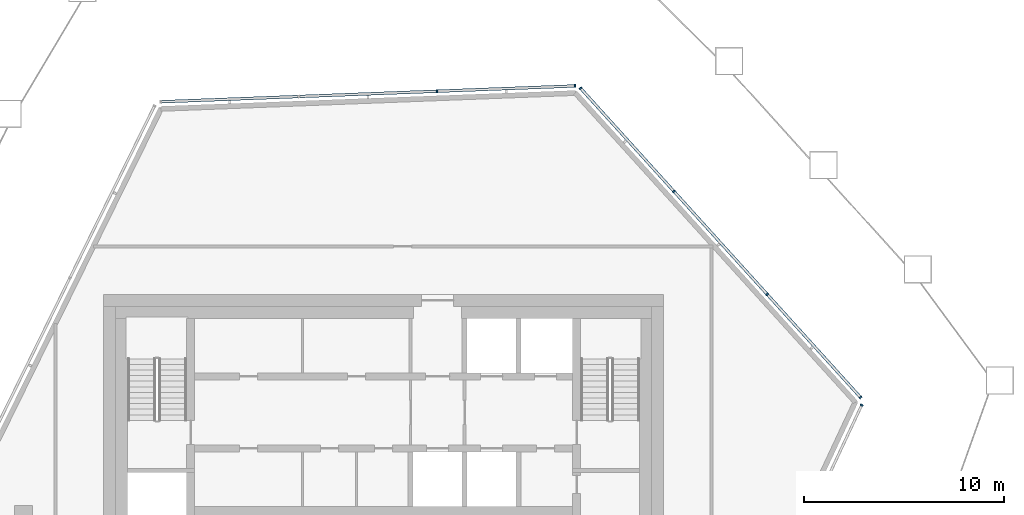
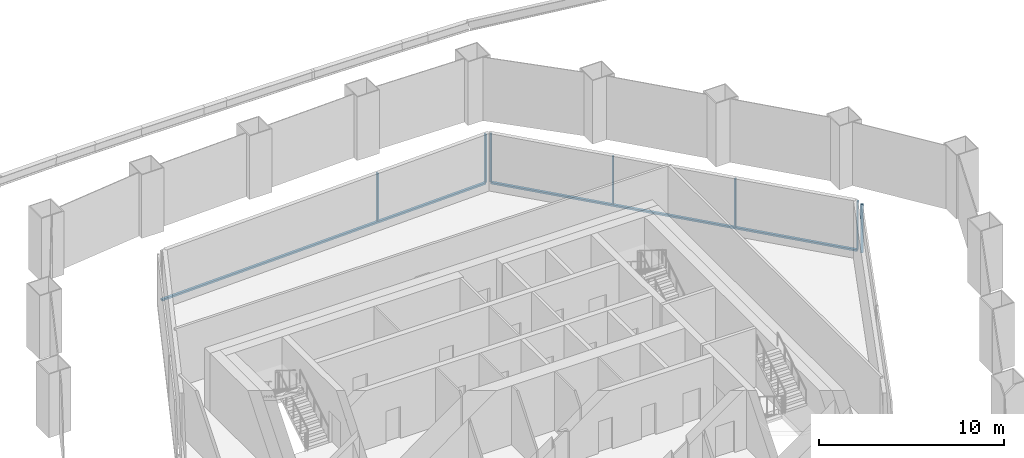
# One storey, part 6 of 18: 9 members, 3 elements without a shape of their own.
"""IFC4 building model written with IfcOpenShell, lengths in metres."""

from ifc_helpers import new_model, si_unit, direction, frame, origin, origin_2d, place, context, subcontext, project, spatial, rectangle, extrude, material, layer, layer_set, material_profile, profile_set, type_object, element, aggregate, save


model = new_model("IFC4")

# Units and contexts
model_context = context("Model", 3, precision=1e-05, world=origin(), true_north=direction((0.0, 1.0)))
body_context = subcontext(model_context, "Body", "Model", "MODEL_VIEW")
ifc_project = project(units=[si_unit("LENGTHUNIT", "METRE"), si_unit("AREAUNIT", "SQUARE_METRE"), si_unit("VOLUMEUNIT", "CUBIC_METRE"), si_unit("PLANEANGLEUNIT", "RADIAN"), si_unit("MASSUNIT", "GRAM", prefix="KILO")], contexts=[model_context])

# Site, building, storey
site_placement = place(None, origin())
site = spatial("IfcSite", under=ifc_project, at=site_placement, CompositionType="ELEMENT")
building_placement = place(site_placement, origin())
building = spatial("IfcBuilding", under=site, at=building_placement, Name="Dongbaek Canopy Tower", CompositionType="ELEMENT")
storey_placement = place(building_placement, frame((0.0, 0.0, 371.60009765625)))
storey = spatial("IfcBuildingStorey", under=building, at=storey_placement, Name="L80", CompositionType="ELEMENT", Elevation=371.60009765625)

# Curtain wall, member
ifc_material_1 = material(Name="Aluminium 6063-T6 pale anodised", Category="aluminium")
ifc_layer = layer(ifc_material_1, 0.14990234375)
ifc_layer_set = layer_set([ifc_layer], Name="CW-7 louvre curtain wall")
curtain_wall_type = type_object("IfcCurtainWallType", Name="CW-7 louvre curtain wall", PredefinedType="NOTDEFINED", material=ifc_layer_set)
curtain_wall_1_placement = place(storey_placement, origin())
curtain_wall_1 = element("IfcCurtainWall", 1, at=curtain_wall_1_placement, inside=storey, type_object=curtain_wall_type, Name="CW-7 louvre wall L80 F1", PredefinedType="NOTDEFINED")
ifc_material_2 = material(Name="Aluminium 6063-T6 pale anodised", Category="aluminium")
ifc_material_profile_1 = material_profile(ifc_material_2, rectangle(XDim=0.14990234375, YDim=0.080078125, at=origin_2d()), Name="CW-7 mullion 80 x 150")
ifc_profile_set_1 = profile_set([ifc_material_profile_1], Name="Aluminium 6063-T6 pale anodised")
member_type_1 = type_object("IfcMemberType", Name="CW-7 mullion 80 x 150", PredefinedType="MULLION", material=ifc_profile_set_1)
member_1_placement = place(storey_placement, frame((23.899658203125, 5.46533203125, 0.2998046875), z_axis=(0.0, 0.0, 1.0), x_axis=(0.905604659029, -0.42412286138, 0.0)))
member_1 = element("IfcMember", 2, at=member_1_placement, type_object=member_type_1, Name="CW-7 mullion L80 F1.1.4", PredefinedType="MULLION", context=body_context, shape_type="SweptSolid", body=[
    extrude(rectangle(XDim=0.14990234375, YDim=0.080078125, at=origin_2d()), origin(), (0.0, 0.0, 1.0), 3.2001953125),
])
aggregate(curtain_wall_1, [member_1])

# Curtain wall, members
curtain_wall_2_placement = place(storey_placement, origin())
curtain_wall_2 = element("IfcCurtainWall", 3, at=curtain_wall_2_placement, inside=storey, type_object=curtain_wall_type, Name="CW-7 louvre wall L80 F2", PredefinedType="NOTDEFINED")
member_2_placement = place(storey_placement, frame((23.84228515625, 5.848876953125, 0.2998046875), z_axis=(0.0, 0.0, 1.0), x_axis=(0.741222228581, 0.671259717142, 0.0)))
member_2 = element("IfcMember", 4, at=member_2_placement, type_object=member_type_1, Name="CW-7 mullion L80 F2.1.1", PredefinedType="MULLION", context=body_context, shape_type="SweptSolid", body=[
    extrude(rectangle(XDim=0.14990234375, YDim=0.080078125, at=origin_2d()), origin(), (0.0, 0.0, 1.0), 3.2001953125),
])
member_3_placement = place(storey_placement, frame((19.17578125, 11.001708984375, 0.2998046875), z_axis=(0.0, 0.0, 1.0), x_axis=(0.741222228581, 0.671259717142, 0.0)))
member_3 = element("IfcMember", 5, at=member_3_placement, type_object=member_type_1, Name="CW-7 mullion L80 F2.1.2", PredefinedType="MULLION", context=body_context, shape_type="SweptSolid", body=[
    extrude(rectangle(XDim=0.14990234375, YDim=0.080078125, at=origin_2d()), origin(), (0.0, 0.0, 1.0), 3.2001953125),
])
member_4_placement = place(storey_placement, frame((14.509033203125, 16.154541015625, 0.2998046875), z_axis=(0.0, 0.0, 1.0), x_axis=(0.741222228581, 0.671259717142, 0.0)))
member_4 = element("IfcMember", 6, at=member_4_placement, type_object=member_type_1, Name="CW-7 mullion L80 F2.1.3", PredefinedType="MULLION", context=body_context, shape_type="SweptSolid", body=[
    extrude(rectangle(XDim=0.14990234375, YDim=0.080078125, at=origin_2d()), origin(), (0.0, 0.0, 1.0), 3.2001953125),
])
member_5_placement = place(storey_placement, frame((9.842529296875, 21.307373046875, 0.2998046875), z_axis=(0.0, 0.0, 1.0), x_axis=(0.741222228581, 0.671259717142, 0.0)))
member_5 = element("IfcMember", 7, at=member_5_placement, type_object=member_type_1, Name="CW-7 mullion L80 F2.1.4", PredefinedType="MULLION", context=body_context, shape_type="SweptSolid", body=[
    extrude(rectangle(XDim=0.14990234375, YDim=0.080078125, at=origin_2d()), origin(), (0.0, 0.0, 1.0), 3.2001953125),
])

curtain_wall_3_placement = place(storey_placement, origin())
curtain_wall_3 = element("IfcCurtainWall", 8, at=curtain_wall_3_placement, inside=storey, type_object=curtain_wall_type, Name="CW-7 louvre wall L80 F3", PredefinedType="NOTDEFINED")
member_6_placement = place(storey_placement, frame((9.56982421875, 21.42236328125, 0.2998046875), z_axis=(0.0, 0.0, 1.0), x_axis=(-0.038231979514, 0.999268890611, 0.0)))
member_6 = element("IfcMember", 9, at=member_6_placement, type_object=member_type_1, Name="CW-7 mullion L80 F3.1.1", PredefinedType="MULLION", context=body_context, shape_type="SweptSolid", body=[
    extrude(rectangle(XDim=0.14990234375, YDim=0.080078125, at=origin_2d()), origin(), (0.0, 0.0, 1.0), 3.2001953125),
])
member_7_placement = place(storey_placement, frame((2.66259765625, 21.157958984375, 0.2998046875), z_axis=(0.0, 0.0, 1.0), x_axis=(-0.038231979514, 0.999268890611, 0.0)))
member_7 = element("IfcMember", 10, at=member_7_placement, type_object=member_type_1, Name="CW-7 mullion L80 F3.1.2", PredefinedType="MULLION", context=body_context, shape_type="SweptSolid", body=[
    extrude(rectangle(XDim=0.14990234375, YDim=0.080078125, at=origin_2d()), origin(), (0.0, 0.0, 1.0), 3.2001953125),
])

# Member
ifc_material_3 = material(Name="Aluminium 6063-T6 pale anodised", Category="aluminium")
ifc_material_profile_2 = material_profile(ifc_material_3, rectangle(XDim=0.14990234375, YDim=0.1201171875, at=origin_2d()), Name="CW-7 transom 120 x 150")
ifc_profile_set_2 = profile_set([ifc_material_profile_2], Name="Aluminium 6063-T6 pale anodised")
member_type_2 = type_object("IfcMemberType", Name="CW-7 transom 120 x 150", PredefinedType="USERDEFINED", material=ifc_profile_set_2)
member_8_placement = place(storey_placement, frame((23.84228515625, 5.848876953125, 0.239990234375), z_axis=(-0.671269118368, 0.741213714609, 0.0), x_axis=(-0.741213714609, -0.671269118368, 0.0)))
member_8 = element("IfcMember", 11, at=member_8_placement, type_object=member_type_2, Name="CW-7 transom L80 F2.1", ObjectType="TRANSOM", PredefinedType="USERDEFINED", context=body_context, shape_type="SweptSolid", body=[
    extrude(rectangle(XDim=0.14990234375, YDim=0.1201171875, at=origin_2d()), origin(), (0.0, 0.0, 1.0), 20.855712890625),
])

aggregate(curtain_wall_2, [member_8, member_2, member_3, member_4, member_5])

member_9_placement = place(storey_placement, frame((9.56982421875, 21.42236328125, 0.239990234375), z_axis=(-0.999268598968, -0.038239601412, 0.0), x_axis=(0.038239601412, -0.999268598968, 0.0)))
member_9 = element("IfcMember", 12, at=member_9_placement, type_object=member_type_2, Name="CW-7 transom L80 F3.1", ObjectType="TRANSOM", PredefinedType="USERDEFINED", context=body_context, shape_type="SweptSolid", body=[
    extrude(rectangle(XDim=0.14990234375, YDim=0.1201171875, at=origin_2d()), origin(), (0.0, 0.0, 1.0), 20.73681640625),
])

aggregate(curtain_wall_3, [member_9, member_6, member_7])

save(model, "model.ifc")
